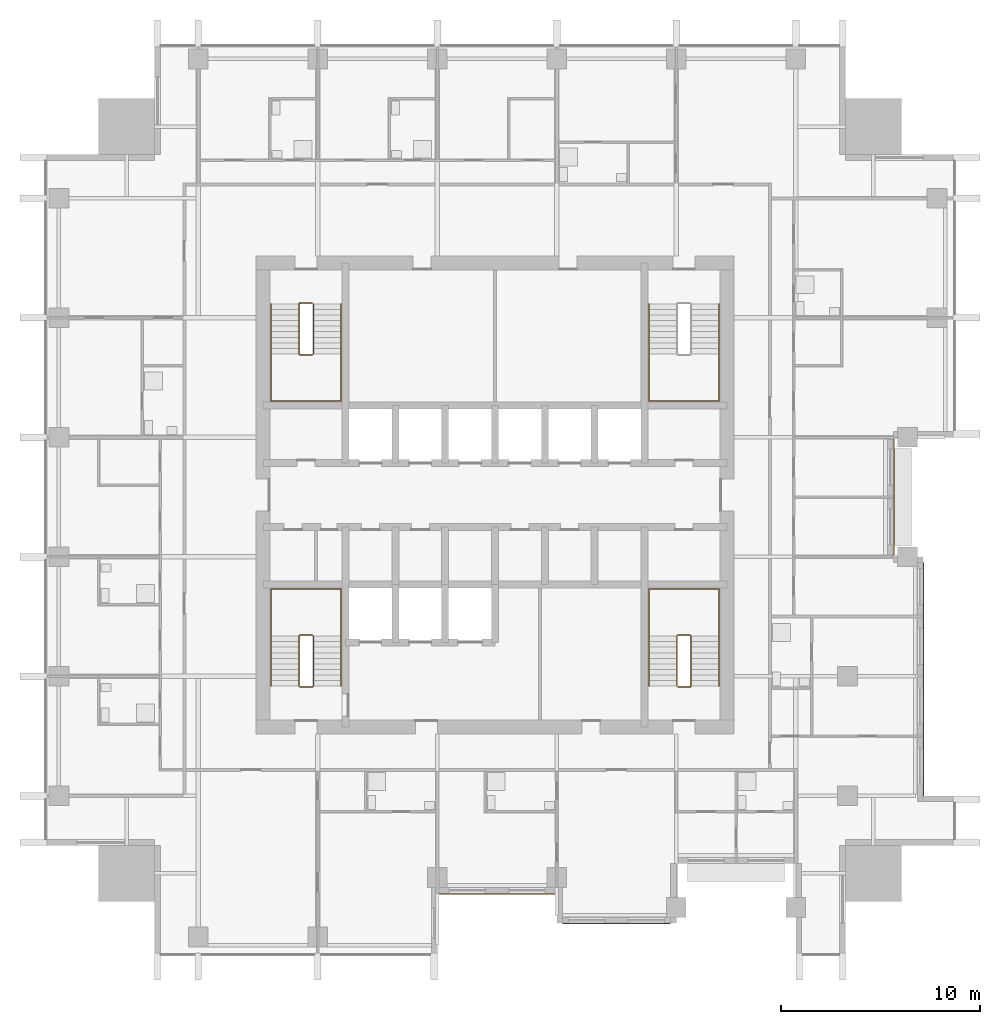
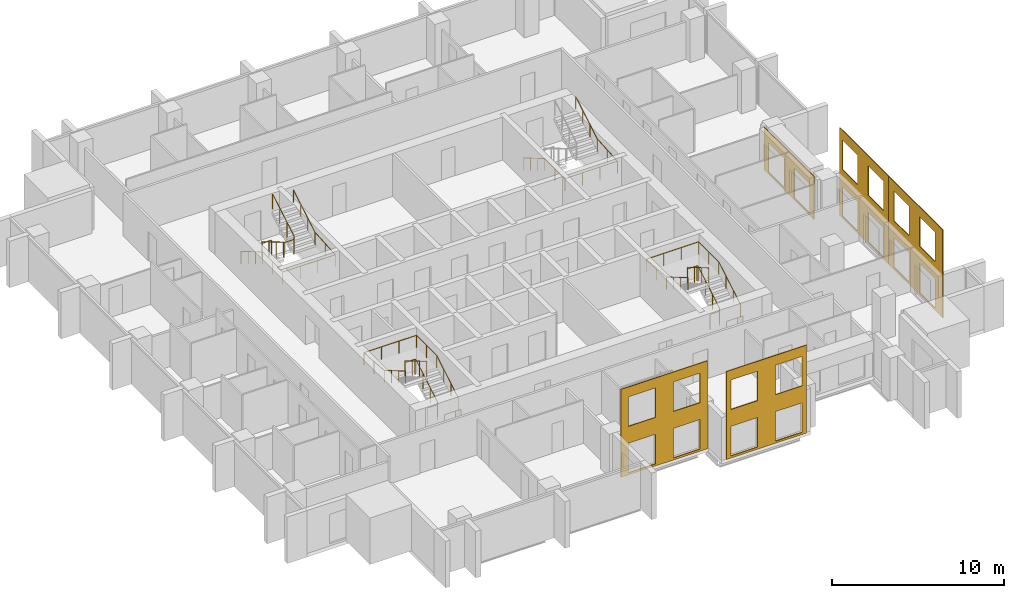
# One storey, part 9 of 11: 7 railings, 5 coverings.
"""IFC4 building model written with IfcOpenShell, lengths in metres."""

from ifc_helpers import new_model, si_unit, direction, frame, origin, origin_2d, place, context, subcontext, project, spatial, polyline, circle, outline, extrude, material, layer, layer_set, type_object, element, save


model = new_model("IFC4")

# Units and contexts
model_context = context("Model", 3, precision=1e-05, world=origin(), true_north=direction((0.0, 1.0)))
body_context = subcontext(model_context, "Body", "Model", "MODEL_VIEW")
ifc_project = project(units=[si_unit("LENGTHUNIT", "METRE"), si_unit("AREAUNIT", "SQUARE_METRE"), si_unit("VOLUMEUNIT", "CUBIC_METRE"), si_unit("PLANEANGLEUNIT", "RADIAN"), si_unit("MASSUNIT", "GRAM", prefix="KILO")], contexts=[model_context])

# Site, building, storey
site_placement = place(None, origin())
site = spatial("IfcSite", under=ifc_project, at=site_placement, CompositionType="ELEMENT")
building_placement = place(site_placement, origin())
building = spatial("IfcBuilding", under=site, at=building_placement, Name="Amberfall Residences", CompositionType="ELEMENT")
storey_placement = place(building_placement, frame((0.0, 0.0, 171.39990234375)))
storey = spatial("IfcBuildingStorey", under=building, at=storey_placement, Name="L46", CompositionType="ELEMENT", Elevation=171.39990234375)

# Coverings
ifc_material_1 = material(Name="Pale limestone cladding", Category="masonry")
ifc_layer = layer(ifc_material_1, 0.050048828125)
ifc_layer_set = layer_set([ifc_layer], Name="Limestone fascia 50")
covering_type = type_object("IfcCoveringType", Name="Limestone fascia 50", PredefinedType="CLADDING", material=ifc_layer_set)
covering_1_placement = place(storey_placement, frame((71.68994140625, 25.5, 6.25), z_axis=(0.0, 1.0, 0.0), x_axis=(1.0, 0.0, 0.0)))
element("IfcCovering", 1, at=covering_1_placement, inside=storey, type_object=covering_type, Name="Pale limestone cladding L46-L47 S", PredefinedType="CLADDING", context=body_context, shape_type="SweptSolid", body=[
    extrude(outline(polyline([(0.0, 0.0), (5.820068359375, 0.0), (5.820068359375, 6.25), (0.0, 6.25), (0.0, 0.0)]), holes=[polyline([(0.510009765625, 4.0), (2.31005859375, 4.0), (2.31005859375, 6.099853515625), (0.510009765625, 6.099853515625), (0.510009765625, 4.0)]), polyline([(3.510009765625, 4.0), (5.31005859375, 4.0), (5.31005859375, 6.099853515625), (3.510009765625, 6.099853515625), (3.510009765625, 4.0)]), polyline([(0.510009765625, 0.699951171875), (2.31005859375, 0.699951171875), (2.31005859375, 2.7998046875), (0.510009765625, 2.7998046875), (0.510009765625, 0.699951171875)]), polyline([(3.510009765625, 0.699951171875), (5.31005859375, 0.699951171875), (5.31005859375, 2.7998046875), (3.510009765625, 2.7998046875), (3.510009765625, 0.699951171875)])]), origin(), (0.0, 0.0, -1.0), 0.050048828125),
])
covering_2_placement = place(storey_placement, frame((94.5, 42.5, 3.050048828125), z_axis=(-1.0, 0.0, 0.0), x_axis=(0.0, 1.0, 0.0)))
element("IfcCovering", 2, at=covering_2_placement, inside=storey, type_object=covering_type, Name="Pale limestone cladding L46 E", PredefinedType="CLADDING", context=body_context, shape_type="SweptSolid", body=[
    extrude(outline(polyline([(0.0, 0.0), (5.800048828125, 0.0), (5.800048828125, 3.050048828125), (0.0, 3.050048828125), (0.0, 0.0)]), holes=[polyline([(0.5, 0.800048828125), (2.300048828125, 0.800048828125), (2.300048828125, 2.89990234375), (0.5, 2.89990234375), (0.5, 0.800048828125)]), polyline([(3.5, 0.800048828125), (5.300048828125, 0.800048828125), (5.300048828125, 2.89990234375), (3.5, 2.89990234375), (3.5, 0.800048828125)])]), origin(), (0.0, 0.0, -1.0), 0.050048828125),
])
covering_3_placement = place(storey_placement, frame((77.89990234375, 24.0, 6.25), z_axis=(0.0, 1.0, 0.0), x_axis=(1.0, 0.0, 0.0)))
element("IfcCovering", 3, at=covering_3_placement, inside=storey, type_object=covering_type, Name="Pale limestone cladding L46-L47 S", PredefinedType="CLADDING", context=body_context, shape_type="SweptSolid", body=[
    extrude(outline(polyline([(0.0, 0.0), (5.400146484375, 0.0), (5.400146484375, 6.25), (0.0, 6.25), (0.0, 0.0)]), holes=[polyline([(0.300048828125, 4.0), (2.10009765625, 4.0), (2.10009765625, 6.099853515625), (0.300048828125, 6.099853515625), (0.300048828125, 4.0)]), polyline([(3.300048828125, 4.0), (5.10009765625, 4.0), (5.10009765625, 6.099853515625), (3.300048828125, 6.099853515625), (3.300048828125, 4.0)]), polyline([(0.300048828125, 0.699951171875), (2.10009765625, 0.699951171875), (2.10009765625, 2.7998046875), (0.300048828125, 2.7998046875), (0.300048828125, 0.699951171875)]), polyline([(3.300048828125, 0.699951171875), (5.10009765625, 0.699951171875), (5.10009765625, 2.7998046875), (3.300048828125, 2.7998046875), (3.300048828125, 0.699951171875)])]), origin(), (0.0, 0.0, -1.0), 0.050048828125),
])
covering_4_placement = place(storey_placement, frame((96.0, 30.10009765625, 6.25), z_axis=(-1.0, 0.0, 0.0), x_axis=(0.0, 1.0, 0.0)))
element("IfcCovering", 4, at=covering_4_placement, inside=storey, type_object=covering_type, Name="Pale limestone cladding L46-L47 E", PredefinedType="CLADDING", context=body_context, shape_type="SweptSolid", body=[
    extrude(outline(polyline([(0.0, 0.0), (6.2998046875, 0.0), (6.2998046875, 6.25), (0.0, 6.25), (0.0, 0.0)]), holes=[polyline([(0.89990234375, 4.0), (2.699951171875, 4.0), (2.699951171875, 6.099853515625), (0.89990234375, 6.099853515625), (0.89990234375, 4.0)]), polyline([(3.89990234375, 4.0), (5.699951171875, 4.0), (5.699951171875, 6.099853515625), (3.89990234375, 6.099853515625), (3.89990234375, 4.0)]), polyline([(0.89990234375, 0.699951171875), (2.699951171875, 0.699951171875), (2.699951171875, 2.7998046875), (0.89990234375, 2.7998046875), (0.89990234375, 0.699951171875)]), polyline([(3.89990234375, 0.699951171875), (5.699951171875, 0.699951171875), (5.699951171875, 2.7998046875), (3.89990234375, 2.7998046875), (3.89990234375, 0.699951171875)])]), origin(), (0.0, 0.0, -1.0), 0.050048828125),
])
covering_5_placement = place(storey_placement, frame((96.0, 36.39990234375, 6.25), z_axis=(-1.0, 0.0, 0.0), x_axis=(0.0, 1.0, 0.0)))
element("IfcCovering", 5, at=covering_5_placement, inside=storey, type_object=covering_type, Name="Pale limestone cladding L46-L47 E", PredefinedType="CLADDING", context=body_context, shape_type="SweptSolid", body=[
    extrude(outline(polyline([(0.0, 0.0), (5.7001953125, 0.0), (5.7001953125, 6.25), (0.0, 6.25), (0.0, 0.0)]), holes=[polyline([(0.60009765625, 4.0), (2.400146484375, 4.0), (2.400146484375, 6.099853515625), (0.60009765625, 6.099853515625), (0.60009765625, 4.0)]), polyline([(3.60009765625, 4.0), (5.400146484375, 4.0), (5.400146484375, 6.099853515625), (3.60009765625, 6.099853515625), (3.60009765625, 4.0)]), polyline([(0.60009765625, 0.699951171875), (2.400146484375, 0.699951171875), (2.400146484375, 2.7998046875), (0.60009765625, 2.7998046875), (0.60009765625, 0.699951171875)]), polyline([(3.60009765625, 0.699951171875), (5.400146484375, 0.699951171875), (5.400146484375, 2.7998046875), (3.60009765625, 2.7998046875), (3.60009765625, 0.699951171875)])]), origin(), (0.0, 0.0, -1.0), 0.050048828125),
])

# Railings
ifc_material_2 = material(Name="Stainless steel 316", Category="steel")
railing_type_1 = type_object("IfcRailingType", Name="Stair guard 1100", PredefinedType="GUARDRAIL", material=ifc_material_2)
railing_1_placement = place(storey_placement, frame((64.699951171875, 35.85009765625, 0.0)))
element("IfcRailing", 6, at=railing_1_placement, inside=storey, type_object=railing_type_1, Name="L46 stair 1 guard", PredefinedType="GUARDRAIL", context=body_context, shape_type="SweptSolid", body=[
    extrude(circle(Radius=0.02392578125, at=origin_2d()), frame((0.0, 0.0, 1.076171875), z_axis=(1.0, 0.0, 0.0), x_axis=(0.0, 1.0, 0.0)), (0.0, 0.0, 1.0), 0.625),
    extrude(circle(Radius=0.02392578125, at=origin_2d()), frame((0.625, 0.0, 1.076171875), z_axis=(0.278810427259, 0.277450376394, 0.919394384522), x_axis=(-0.705375805398, 0.708833529934, 0.0)), (0.0, 0.0, 1.0), 0.179443359375),
    extrude(circle(Radius=0.02392578125, at=origin_2d()), frame((0.675048828125, 0.0498046875, 1.2412109375), z_axis=(0.0, 0.86152411907, 0.507716645641), x_axis=(-1.0, 0.0, 0.0)), (0.0, 0.0, 1.0), 2.925048828125),
    extrude(circle(Radius=0.02392578125, at=origin_2d()), frame((0.675048828125, 2.56982421875, 2.72607421875), z_axis=(-0.707106781187, 0.707106781187, 0.0), x_axis=(-0.707106781187, -0.707106781187, 0.0)), (0.0, 0.0, 1.0), 0.07080078125),
    extrude(circle(Radius=0.02392578125, at=origin_2d()), frame((0.625, 2.619873046875, 2.72607421875), z_axis=(-1.0, 0.0, 0.0), x_axis=(0.0, -1.0, 0.0)), (0.0, 0.0, 1.0), 0.625),
    extrude(circle(Radius=0.02392578125, at=origin_2d()), frame((0.0, 2.619873046875, 2.72607421875), z_axis=(-0.278705021027, -0.278705021027, 0.919046801044), x_axis=(0.707106781187, -0.707106781187, 0.0)), (0.0, 0.0, 1.0), 0.1796875),
    extrude(circle(Radius=0.02392578125, at=origin_2d()), frame((-0.050048828125, 2.56982421875, 2.89111328125), z_axis=(0.0, -0.861560626758, 0.507654692109), x_axis=(1.0, 0.0, 0.0)), (0.0, 0.0, 1.0), 2.925048828125),
    extrude(circle(Radius=0.02099609375, at=origin_2d()), origin(), (0.0, 0.0, 1.0), 1.052001953125),
    extrude(circle(Radius=0.02099609375, at=origin_2d()), frame((0.625, 0.0, 0.0)), (0.0, 0.0, 1.0), 1.052001953125),
    extrude(circle(Radius=0.02099609375, at=origin_2d()), frame((0.675048828125, 0.0498046875, 0.1650390625)), (0.0, 0.0, 1.0), 1.052001953125),
    extrude(circle(Radius=0.02099609375, at=origin_2d()), frame((0.675048828125, 0.889892578125, 0.66015625)), (0.0, 0.0, 1.0), 1.052001953125),
    extrude(circle(Radius=0.02099609375, at=origin_2d()), frame((0.675048828125, 1.729736328125, 1.155029296875)), (0.0, 0.0, 1.0), 1.052001953125),
    extrude(circle(Radius=0.02099609375, at=origin_2d()), frame((0.675048828125, 2.56982421875, 1.650146484375)), (0.0, 0.0, 1.0), 1.052001953125),
    extrude(circle(Radius=0.02099609375, at=origin_2d()), frame((0.625, 2.619873046875, 1.650146484375)), (0.0, 0.0, 1.0), 1.052001953125),
    extrude(circle(Radius=0.02099609375, at=origin_2d()), frame((0.0, 2.619873046875, 1.650146484375)), (0.0, 0.0, 1.0), 1.052001953125),
    extrude(circle(Radius=0.02099609375, at=origin_2d()), frame((-0.050048828125, 2.56982421875, 1.815185546875)), (0.0, 0.0, 1.0), 1.052001953125),
    extrude(circle(Radius=0.02099609375, at=origin_2d()), frame((-0.050048828125, 1.729736328125, 2.31005859375)), (0.0, 0.0, 1.0), 1.052001953125),
    extrude(circle(Radius=0.02099609375, at=origin_2d()), frame((-0.050048828125, 0.889892578125, 2.80517578125)), (0.0, 0.0, 1.0), 1.052001953125),
    extrude(circle(Radius=0.02099609375, at=origin_2d()), frame((-0.050048828125, 0.0498046875, 3.300048828125)), (0.0, 0.0, 1.0), 1.052001953125),
])
railing_2_placement = place(storey_placement, frame((83.675048828125, 35.85009765625, 0.0)))
element("IfcRailing", 7, at=railing_2_placement, inside=storey, type_object=railing_type_1, Name="L46 stair 2 guard", PredefinedType="GUARDRAIL", context=body_context, shape_type="SweptSolid", body=[
    extrude(circle(Radius=0.02392578125, at=origin_2d()), frame((0.0, 0.0, 1.076171875), z_axis=(1.0, 0.0, 0.0), x_axis=(0.0, 1.0, 0.0)), (0.0, 0.0, 1.0), 0.625),
    extrude(circle(Radius=0.02392578125, at=origin_2d()), frame((0.625, 0.0, 1.076171875), z_axis=(0.278810427259, 0.277450376394, 0.919394384522), x_axis=(-0.705375805398, 0.708833529934, 0.0)), (0.0, 0.0, 1.0), 0.179443359375),
    extrude(circle(Radius=0.02392578125, at=origin_2d()), frame((0.675048828125, 0.0498046875, 1.2412109375), z_axis=(0.0, 0.86152411907, 0.507716645641), x_axis=(-1.0, 0.0, 0.0)), (0.0, 0.0, 1.0), 2.925048828125),
    extrude(circle(Radius=0.02392578125, at=origin_2d()), frame((0.675048828125, 2.56982421875, 2.72607421875), z_axis=(-0.707106781187, 0.707106781187, 0.0), x_axis=(-0.707106781187, -0.707106781187, 0.0)), (0.0, 0.0, 1.0), 0.07080078125),
    extrude(circle(Radius=0.02392578125, at=origin_2d()), frame((0.625, 2.619873046875, 2.72607421875), z_axis=(-1.0, 0.0, 0.0), x_axis=(0.0, -1.0, 0.0)), (0.0, 0.0, 1.0), 0.625),
    extrude(circle(Radius=0.02392578125, at=origin_2d()), frame((0.0, 2.619873046875, 2.72607421875), z_axis=(-0.278705021027, -0.278705021027, 0.919046801044), x_axis=(0.707106781187, -0.707106781187, 0.0)), (0.0, 0.0, 1.0), 0.1796875),
    extrude(circle(Radius=0.02392578125, at=origin_2d()), frame((-0.050048828125, 2.56982421875, 2.89111328125), z_axis=(0.0, -0.861560626758, 0.507654692109), x_axis=(1.0, 0.0, 0.0)), (0.0, 0.0, 1.0), 2.925048828125),
    extrude(circle(Radius=0.02099609375, at=origin_2d()), origin(), (0.0, 0.0, 1.0), 1.052001953125),
    extrude(circle(Radius=0.02099609375, at=origin_2d()), frame((0.625, 0.0, 0.0)), (0.0, 0.0, 1.0), 1.052001953125),
    extrude(circle(Radius=0.02099609375, at=origin_2d()), frame((0.675048828125, 0.0498046875, 0.1650390625)), (0.0, 0.0, 1.0), 1.052001953125),
    extrude(circle(Radius=0.02099609375, at=origin_2d()), frame((0.675048828125, 0.889892578125, 0.66015625)), (0.0, 0.0, 1.0), 1.052001953125),
    extrude(circle(Radius=0.02099609375, at=origin_2d()), frame((0.675048828125, 1.729736328125, 1.155029296875)), (0.0, 0.0, 1.0), 1.052001953125),
    extrude(circle(Radius=0.02099609375, at=origin_2d()), frame((0.675048828125, 2.56982421875, 1.650146484375)), (0.0, 0.0, 1.0), 1.052001953125),
    extrude(circle(Radius=0.02099609375, at=origin_2d()), frame((0.625, 2.619873046875, 1.650146484375)), (0.0, 0.0, 1.0), 1.052001953125),
    extrude(circle(Radius=0.02099609375, at=origin_2d()), frame((0.0, 2.619873046875, 1.650146484375)), (0.0, 0.0, 1.0), 1.052001953125),
    extrude(circle(Radius=0.02099609375, at=origin_2d()), frame((-0.050048828125, 2.56982421875, 1.815185546875)), (0.0, 0.0, 1.0), 1.052001953125),
    extrude(circle(Radius=0.02099609375, at=origin_2d()), frame((-0.050048828125, 1.729736328125, 2.31005859375)), (0.0, 0.0, 1.0), 1.052001953125),
    extrude(circle(Radius=0.02099609375, at=origin_2d()), frame((-0.050048828125, 0.889892578125, 2.80517578125)), (0.0, 0.0, 1.0), 1.052001953125),
    extrude(circle(Radius=0.02099609375, at=origin_2d()), frame((-0.050048828125, 0.0498046875, 3.300048828125)), (0.0, 0.0, 1.0), 1.052001953125),
])
railing_3_placement = place(storey_placement, frame((65.324951171875, 55.14990234375, 0.0)))
element("IfcRailing", 8, at=railing_3_placement, inside=storey, type_object=railing_type_1, Name="L46 stair 4 guard", PredefinedType="GUARDRAIL", context=body_context, shape_type="SweptSolid", body=[
    extrude(circle(Radius=0.02392578125, at=origin_2d()), frame((0.0, 0.0, 1.076171875), z_axis=(-1.0, 0.0, 0.0), x_axis=(0.0, -1.0, 0.0)), (0.0, 0.0, 1.0), 0.625),
    extrude(circle(Radius=0.02392578125, at=origin_2d()), frame((-0.625, 0.0, 1.076171875), z_axis=(-0.278810427259, -0.277450376394, 0.919394384522), x_axis=(0.705375805398, -0.708833529934, 0.0)), (0.0, 0.0, 1.0), 0.179443359375),
    extrude(circle(Radius=0.02392578125, at=origin_2d()), frame((-0.675048828125, -0.0498046875, 1.2412109375), z_axis=(0.0, -0.86152411907, 0.507716645641), x_axis=(1.0, 0.0, 0.0)), (0.0, 0.0, 1.0), 2.925048828125),
    extrude(circle(Radius=0.02392578125, at=origin_2d()), frame((-0.675048828125, -2.56982421875, 2.72607421875), z_axis=(0.707106781187, -0.707106781187, 0.0), x_axis=(0.707106781187, 0.707106781187, 0.0)), (0.0, 0.0, 1.0), 0.07080078125),
    extrude(circle(Radius=0.02392578125, at=origin_2d()), frame((-0.625, -2.619873046875, 2.72607421875), z_axis=(1.0, 0.0, 0.0), x_axis=(0.0, 1.0, 0.0)), (0.0, 0.0, 1.0), 0.625),
    extrude(circle(Radius=0.02392578125, at=origin_2d()), frame((0.0, -2.619873046875, 2.72607421875), z_axis=(0.278705021027, 0.278705021027, 0.919046801044), x_axis=(-0.707106781187, 0.707106781187, 0.0)), (0.0, 0.0, 1.0), 0.1796875),
    extrude(circle(Radius=0.02392578125, at=origin_2d()), frame((0.050048828125, -2.56982421875, 2.89111328125), z_axis=(0.0, 0.861560626758, 0.507654692109), x_axis=(-1.0, 0.0, 0.0)), (0.0, 0.0, 1.0), 2.925048828125),
    extrude(circle(Radius=0.02099609375, at=origin_2d()), origin(), (0.0, 0.0, 1.0), 1.052001953125),
    extrude(circle(Radius=0.02099609375, at=origin_2d()), frame((-0.625, 0.0, 0.0)), (0.0, 0.0, 1.0), 1.052001953125),
    extrude(circle(Radius=0.02099609375, at=origin_2d()), frame((-0.675048828125, -0.0498046875, 0.1650390625)), (0.0, 0.0, 1.0), 1.052001953125),
    extrude(circle(Radius=0.02099609375, at=origin_2d()), frame((-0.675048828125, -0.889892578125, 0.66015625)), (0.0, 0.0, 1.0), 1.052001953125),
    extrude(circle(Radius=0.02099609375, at=origin_2d()), frame((-0.675048828125, -1.729736328125, 1.155029296875)), (0.0, 0.0, 1.0), 1.052001953125),
    extrude(circle(Radius=0.02099609375, at=origin_2d()), frame((-0.675048828125, -2.56982421875, 1.650146484375)), (0.0, 0.0, 1.0), 1.052001953125),
    extrude(circle(Radius=0.02099609375, at=origin_2d()), frame((-0.625, -2.619873046875, 1.650146484375)), (0.0, 0.0, 1.0), 1.052001953125),
    extrude(circle(Radius=0.02099609375, at=origin_2d()), frame((0.0, -2.619873046875, 1.650146484375)), (0.0, 0.0, 1.0), 1.052001953125),
    extrude(circle(Radius=0.02099609375, at=origin_2d()), frame((0.050048828125, -2.56982421875, 1.815185546875)), (0.0, 0.0, 1.0), 1.052001953125),
    extrude(circle(Radius=0.02099609375, at=origin_2d()), frame((0.050048828125, -1.729736328125, 2.31005859375)), (0.0, 0.0, 1.0), 1.052001953125),
    extrude(circle(Radius=0.02099609375, at=origin_2d()), frame((0.050048828125, -0.889892578125, 2.80517578125)), (0.0, 0.0, 1.0), 1.052001953125),
    extrude(circle(Radius=0.02099609375, at=origin_2d()), frame((0.050048828125, -0.0498046875, 3.300048828125)), (0.0, 0.0, 1.0), 1.052001953125),
])
railing_type_2 = type_object("IfcRailingType", Name="Stair handrail 900", PredefinedType="HANDRAIL", material=ifc_material_2)
railing_4_placement = place(storey_placement, frame((66.77490234375, 35.89990234375, 0.1650390625)))
element("IfcRailing", 9, at=railing_4_placement, inside=storey, type_object=railing_type_2, Name="L46 stair 1 handrail", PredefinedType="HANDRAIL", context=body_context, shape_type="SweptSolid", body=[
    extrude(circle(Radius=0.02392578125, at=origin_2d()), frame((0.0, 0.0, 0.8759765625), z_axis=(0.0, 0.86152411907, 0.507716645641), x_axis=(-1.0, 0.0, 0.0)), (0.0, 0.0, 1.0), 2.925048828125),
    extrude(circle(Radius=0.02392578125, at=origin_2d()), frame((0.0, 2.52001953125, 2.36083984375), z_axis=(0.0, 1.0, 0.0), x_axis=(-1.0, 0.0, 0.0)), (0.0, 0.0, 1.0), 2.35498046875),
    extrude(circle(Radius=0.02392578125, at=origin_2d()), frame((0.0, 4.875, 2.36083984375), z_axis=(-1.0, 0.0, 0.0), x_axis=(0.0, -1.0, 0.0)), (0.0, 0.0, 1.0), 3.52490234375),
    extrude(circle(Radius=0.02392578125, at=origin_2d()), frame((-3.52490234375, 4.875, 2.36083984375), z_axis=(0.0, -0.997553344917, 0.069909398835), x_axis=(1.0, 0.0, 0.0)), (0.0, 0.0, 1.0), 2.36083984375),
    extrude(circle(Radius=0.02392578125, at=origin_2d()), frame((-3.52490234375, 2.52001953125, 2.52587890625), z_axis=(0.0, -0.861560626758, 0.507654692109), x_axis=(1.0, 0.0, 0.0)), (0.0, 0.0, 1.0), 2.925048828125),
    extrude(circle(Radius=0.02099609375, at=origin_2d()), origin(), (0.0, 0.0, 1.0), 0.851806640625),
    extrude(circle(Radius=0.02099609375, at=origin_2d()), frame((0.0, 0.840087890625, 0.4951171875)), (0.0, 0.0, 1.0), 0.851806640625),
    extrude(circle(Radius=0.02099609375, at=origin_2d()), frame((0.0, 1.679931640625, 0.989990234375)), (0.0, 0.0, 1.0), 0.851806640625),
    extrude(circle(Radius=0.02099609375, at=origin_2d()), frame((0.0, 2.52001953125, 1.485107421875)), (0.0, 0.0, 1.0), 0.851806640625),
    extrude(circle(Radius=0.02099609375, at=origin_2d()), frame((0.0, 3.697509765625, 1.485107421875)), (0.0, 0.0, 1.0), 0.851806640625),
    extrude(circle(Radius=0.02099609375, at=origin_2d()), frame((0.0, 4.875, 1.485107421875)), (0.0, 0.0, 1.0), 0.851806640625),
    extrude(circle(Radius=0.02099609375, at=origin_2d()), frame((-1.175048828125, 4.875, 1.485107421875)), (0.0, 0.0, 1.0), 0.851806640625),
    extrude(circle(Radius=0.02099609375, at=origin_2d()), frame((-2.349853515625, 4.875, 1.485107421875)), (0.0, 0.0, 1.0), 0.851806640625),
    extrude(circle(Radius=0.02099609375, at=origin_2d()), frame((-3.52490234375, 4.875, 1.485107421875)), (0.0, 0.0, 1.0), 0.851806640625),
    extrude(circle(Radius=0.02099609375, at=origin_2d()), frame((-3.52490234375, 3.697509765625, 1.567626953125)), (0.0, 0.0, 1.0), 0.851806640625),
    extrude(circle(Radius=0.02099609375, at=origin_2d()), frame((-3.52490234375, 2.52001953125, 1.650146484375)), (0.0, 0.0, 1.0), 0.851806640625),
    extrude(circle(Radius=0.02099609375, at=origin_2d()), frame((-3.52490234375, 1.679931640625, 2.14501953125)), (0.0, 0.0, 1.0), 0.851806640625),
    extrude(circle(Radius=0.02099609375, at=origin_2d()), frame((-3.52490234375, 0.840087890625, 2.64013671875)), (0.0, 0.0, 1.0), 0.851806640625),
    extrude(circle(Radius=0.02099609375, at=origin_2d()), frame((-3.52490234375, 0.0, 3.135009765625)), (0.0, 0.0, 1.0), 0.851806640625),
])
railing_5_placement = place(storey_placement, frame((85.75, 35.89990234375, 0.1650390625)))
element("IfcRailing", 10, at=railing_5_placement, inside=storey, type_object=railing_type_2, Name="L46 stair 2 handrail", PredefinedType="HANDRAIL", context=body_context, shape_type="SweptSolid", body=[
    extrude(circle(Radius=0.02392578125, at=origin_2d()), frame((0.0, 0.0, 0.8759765625), z_axis=(0.0, 0.86152411907, 0.507716645641), x_axis=(-1.0, 0.0, 0.0)), (0.0, 0.0, 1.0), 2.925048828125),
    extrude(circle(Radius=0.02392578125, at=origin_2d()), frame((0.0, 2.52001953125, 2.36083984375), z_axis=(0.0, 1.0, 0.0), x_axis=(-1.0, 0.0, 0.0)), (0.0, 0.0, 1.0), 2.35498046875),
    extrude(circle(Radius=0.02392578125, at=origin_2d()), frame((0.0, 4.875, 2.36083984375), z_axis=(-1.0, 0.0, 0.0), x_axis=(0.0, -1.0, 0.0)), (0.0, 0.0, 1.0), 3.52490234375),
    extrude(circle(Radius=0.02392578125, at=origin_2d()), frame((-3.52490234375, 4.875, 2.36083984375), z_axis=(0.0, -0.997553344917, 0.069909398835), x_axis=(1.0, 0.0, 0.0)), (0.0, 0.0, 1.0), 2.36083984375),
    extrude(circle(Radius=0.02392578125, at=origin_2d()), frame((-3.52490234375, 2.52001953125, 2.52587890625), z_axis=(0.0, -0.861560626758, 0.507654692109), x_axis=(1.0, 0.0, 0.0)), (0.0, 0.0, 1.0), 2.925048828125),
    extrude(circle(Radius=0.02099609375, at=origin_2d()), origin(), (0.0, 0.0, 1.0), 0.851806640625),
    extrude(circle(Radius=0.02099609375, at=origin_2d()), frame((0.0, 0.840087890625, 0.4951171875)), (0.0, 0.0, 1.0), 0.851806640625),
    extrude(circle(Radius=0.02099609375, at=origin_2d()), frame((0.0, 1.679931640625, 0.989990234375)), (0.0, 0.0, 1.0), 0.851806640625),
    extrude(circle(Radius=0.02099609375, at=origin_2d()), frame((0.0, 2.52001953125, 1.485107421875)), (0.0, 0.0, 1.0), 0.851806640625),
    extrude(circle(Radius=0.02099609375, at=origin_2d()), frame((0.0, 3.697509765625, 1.485107421875)), (0.0, 0.0, 1.0), 0.851806640625),
    extrude(circle(Radius=0.02099609375, at=origin_2d()), frame((0.0, 4.875, 1.485107421875)), (0.0, 0.0, 1.0), 0.851806640625),
    extrude(circle(Radius=0.02099609375, at=origin_2d()), frame((-1.175048828125, 4.875, 1.485107421875)), (0.0, 0.0, 1.0), 0.851806640625),
    extrude(circle(Radius=0.02099609375, at=origin_2d()), frame((-2.349853515625, 4.875, 1.485107421875)), (0.0, 0.0, 1.0), 0.851806640625),
    extrude(circle(Radius=0.02099609375, at=origin_2d()), frame((-3.52490234375, 4.875, 1.485107421875)), (0.0, 0.0, 1.0), 0.851806640625),
    extrude(circle(Radius=0.02099609375, at=origin_2d()), frame((-3.52490234375, 3.697509765625, 1.567626953125)), (0.0, 0.0, 1.0), 0.851806640625),
    extrude(circle(Radius=0.02099609375, at=origin_2d()), frame((-3.52490234375, 2.52001953125, 1.650146484375)), (0.0, 0.0, 1.0), 0.851806640625),
    extrude(circle(Radius=0.02099609375, at=origin_2d()), frame((-3.52490234375, 1.679931640625, 2.14501953125)), (0.0, 0.0, 1.0), 0.851806640625),
    extrude(circle(Radius=0.02099609375, at=origin_2d()), frame((-3.52490234375, 0.840087890625, 2.64013671875)), (0.0, 0.0, 1.0), 0.851806640625),
    extrude(circle(Radius=0.02099609375, at=origin_2d()), frame((-3.52490234375, 0.0, 3.135009765625)), (0.0, 0.0, 1.0), 0.851806640625),
])
railing_6_placement = place(storey_placement, frame((82.22509765625, 55.10009765625, 0.1650390625)))
element("IfcRailing", 11, at=railing_6_placement, inside=storey, type_object=railing_type_2, Name="L46 stair 3 handrail", PredefinedType="HANDRAIL", context=body_context, shape_type="SweptSolid", body=[
    extrude(circle(Radius=0.02392578125, at=origin_2d()), frame((0.0, 0.0, 0.8759765625), z_axis=(0.0, -0.86152411907, 0.507716645641), x_axis=(1.0, 0.0, 0.0)), (0.0, 0.0, 1.0), 2.925048828125),
    extrude(circle(Radius=0.02392578125, at=origin_2d()), frame((0.0, -2.52001953125, 2.36083984375), z_axis=(0.0, -1.0, 0.0), x_axis=(1.0, 0.0, 0.0)), (0.0, 0.0, 1.0), 2.35498046875),
    extrude(circle(Radius=0.02392578125, at=origin_2d()), frame((0.0, -4.875, 2.36083984375), z_axis=(1.0, 0.0, 0.0), x_axis=(0.0, 1.0, 0.0)), (0.0, 0.0, 1.0), 3.52490234375),
    extrude(circle(Radius=0.02392578125, at=origin_2d()), frame((3.52490234375, -4.875, 2.36083984375), z_axis=(0.0, 0.997553344917, 0.069909398835), x_axis=(-1.0, 0.0, 0.0)), (0.0, 0.0, 1.0), 2.36083984375),
    extrude(circle(Radius=0.02392578125, at=origin_2d()), frame((3.52490234375, -2.52001953125, 2.52587890625), z_axis=(0.0, 0.861560626758, 0.507654692109), x_axis=(-1.0, 0.0, 0.0)), (0.0, 0.0, 1.0), 2.925048828125),
    extrude(circle(Radius=0.02099609375, at=origin_2d()), origin(), (0.0, 0.0, 1.0), 0.851806640625),
    extrude(circle(Radius=0.02099609375, at=origin_2d()), frame((0.0, -0.840087890625, 0.4951171875)), (0.0, 0.0, 1.0), 0.851806640625),
    extrude(circle(Radius=0.02099609375, at=origin_2d()), frame((0.0, -1.679931640625, 0.989990234375)), (0.0, 0.0, 1.0), 0.851806640625),
    extrude(circle(Radius=0.02099609375, at=origin_2d()), frame((0.0, -2.52001953125, 1.485107421875)), (0.0, 0.0, 1.0), 0.851806640625),
    extrude(circle(Radius=0.02099609375, at=origin_2d()), frame((0.0, -3.697509765625, 1.485107421875)), (0.0, 0.0, 1.0), 0.851806640625),
    extrude(circle(Radius=0.02099609375, at=origin_2d()), frame((0.0, -4.875, 1.485107421875)), (0.0, 0.0, 1.0), 0.851806640625),
    extrude(circle(Radius=0.02099609375, at=origin_2d()), frame((1.175048828125, -4.875, 1.485107421875)), (0.0, 0.0, 1.0), 0.851806640625),
    extrude(circle(Radius=0.02099609375, at=origin_2d()), frame((2.349853515625, -4.875, 1.485107421875)), (0.0, 0.0, 1.0), 0.851806640625),
    extrude(circle(Radius=0.02099609375, at=origin_2d()), frame((3.52490234375, -4.875, 1.485107421875)), (0.0, 0.0, 1.0), 0.851806640625),
    extrude(circle(Radius=0.02099609375, at=origin_2d()), frame((3.52490234375, -3.697509765625, 1.567626953125)), (0.0, 0.0, 1.0), 0.851806640625),
    extrude(circle(Radius=0.02099609375, at=origin_2d()), frame((3.52490234375, -2.52001953125, 1.650146484375)), (0.0, 0.0, 1.0), 0.851806640625),
    extrude(circle(Radius=0.02099609375, at=origin_2d()), frame((3.52490234375, -1.679931640625, 2.14501953125)), (0.0, 0.0, 1.0), 0.851806640625),
    extrude(circle(Radius=0.02099609375, at=origin_2d()), frame((3.52490234375, -0.840087890625, 2.64013671875)), (0.0, 0.0, 1.0), 0.851806640625),
    extrude(circle(Radius=0.02099609375, at=origin_2d()), frame((3.52490234375, 0.0, 3.135009765625)), (0.0, 0.0, 1.0), 0.851806640625),
])
railing_7_placement = place(storey_placement, frame((63.25, 55.10009765625, 0.1650390625)))
element("IfcRailing", 12, at=railing_7_placement, inside=storey, type_object=railing_type_2, Name="L46 stair 4 handrail", PredefinedType="HANDRAIL", context=body_context, shape_type="SweptSolid", body=[
    extrude(circle(Radius=0.02392578125, at=origin_2d()), frame((0.0, 0.0, 0.8759765625), z_axis=(0.0, -0.86152411907, 0.507716645641), x_axis=(1.0, 0.0, 0.0)), (0.0, 0.0, 1.0), 2.925048828125),
    extrude(circle(Radius=0.02392578125, at=origin_2d()), frame((0.0, -2.52001953125, 2.36083984375), z_axis=(0.0, -1.0, 0.0), x_axis=(1.0, 0.0, 0.0)), (0.0, 0.0, 1.0), 2.35498046875),
    extrude(circle(Radius=0.02392578125, at=origin_2d()), frame((0.0, -4.875, 2.36083984375), z_axis=(1.0, 0.0, 0.0), x_axis=(0.0, 1.0, 0.0)), (0.0, 0.0, 1.0), 3.52490234375),
    extrude(circle(Radius=0.02392578125, at=origin_2d()), frame((3.52490234375, -4.875, 2.36083984375), z_axis=(0.0, 0.997553344917, 0.069909398835), x_axis=(-1.0, 0.0, 0.0)), (0.0, 0.0, 1.0), 2.36083984375),
    extrude(circle(Radius=0.02392578125, at=origin_2d()), frame((3.52490234375, -2.52001953125, 2.52587890625), z_axis=(0.0, 0.861560626758, 0.507654692109), x_axis=(-1.0, 0.0, 0.0)), (0.0, 0.0, 1.0), 2.925048828125),
    extrude(circle(Radius=0.02099609375, at=origin_2d()), origin(), (0.0, 0.0, 1.0), 0.851806640625),
    extrude(circle(Radius=0.02099609375, at=origin_2d()), frame((0.0, -0.840087890625, 0.4951171875)), (0.0, 0.0, 1.0), 0.851806640625),
    extrude(circle(Radius=0.02099609375, at=origin_2d()), frame((0.0, -1.679931640625, 0.989990234375)), (0.0, 0.0, 1.0), 0.851806640625),
    extrude(circle(Radius=0.02099609375, at=origin_2d()), frame((0.0, -2.52001953125, 1.485107421875)), (0.0, 0.0, 1.0), 0.851806640625),
    extrude(circle(Radius=0.02099609375, at=origin_2d()), frame((0.0, -3.697509765625, 1.485107421875)), (0.0, 0.0, 1.0), 0.851806640625),
    extrude(circle(Radius=0.02099609375, at=origin_2d()), frame((0.0, -4.875, 1.485107421875)), (0.0, 0.0, 1.0), 0.851806640625),
    extrude(circle(Radius=0.02099609375, at=origin_2d()), frame((1.175048828125, -4.875, 1.485107421875)), (0.0, 0.0, 1.0), 0.851806640625),
    extrude(circle(Radius=0.02099609375, at=origin_2d()), frame((2.349853515625, -4.875, 1.485107421875)), (0.0, 0.0, 1.0), 0.851806640625),
    extrude(circle(Radius=0.02099609375, at=origin_2d()), frame((3.52490234375, -4.875, 1.485107421875)), (0.0, 0.0, 1.0), 0.851806640625),
    extrude(circle(Radius=0.02099609375, at=origin_2d()), frame((3.52490234375, -3.697509765625, 1.567626953125)), (0.0, 0.0, 1.0), 0.851806640625),
    extrude(circle(Radius=0.02099609375, at=origin_2d()), frame((3.52490234375, -2.52001953125, 1.650146484375)), (0.0, 0.0, 1.0), 0.851806640625),
    extrude(circle(Radius=0.02099609375, at=origin_2d()), frame((3.52490234375, -1.679931640625, 2.14501953125)), (0.0, 0.0, 1.0), 0.851806640625),
    extrude(circle(Radius=0.02099609375, at=origin_2d()), frame((3.52490234375, -0.840087890625, 2.64013671875)), (0.0, 0.0, 1.0), 0.851806640625),
    extrude(circle(Radius=0.02099609375, at=origin_2d()), frame((3.52490234375, 0.0, 3.135009765625)), (0.0, 0.0, 1.0), 0.851806640625),
])

save(model, "model.ifc")
